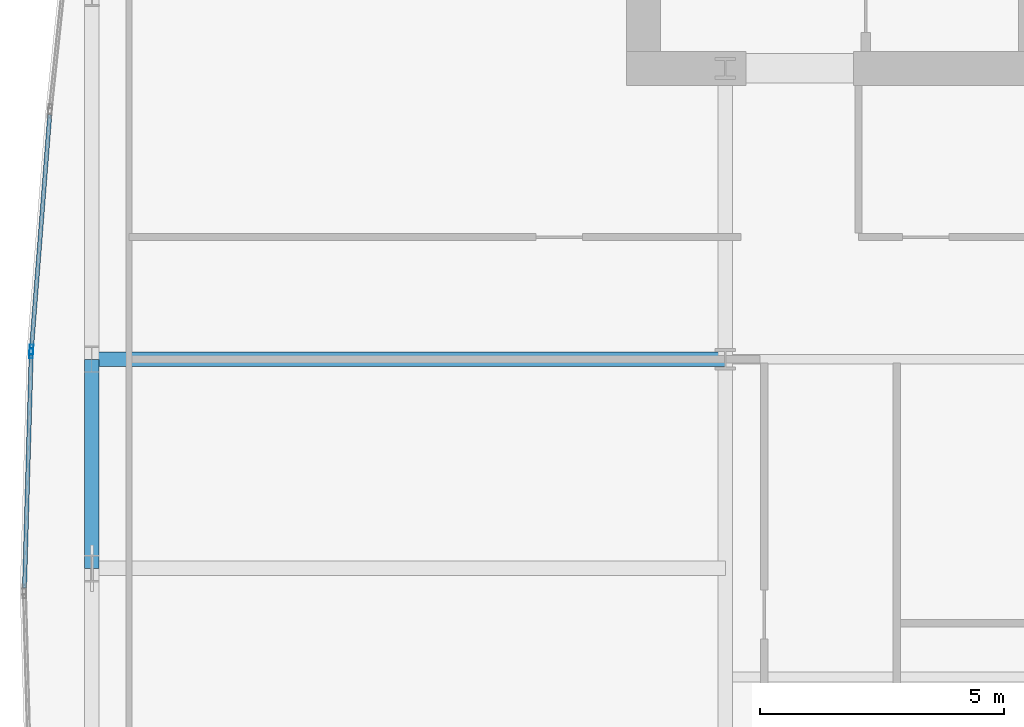
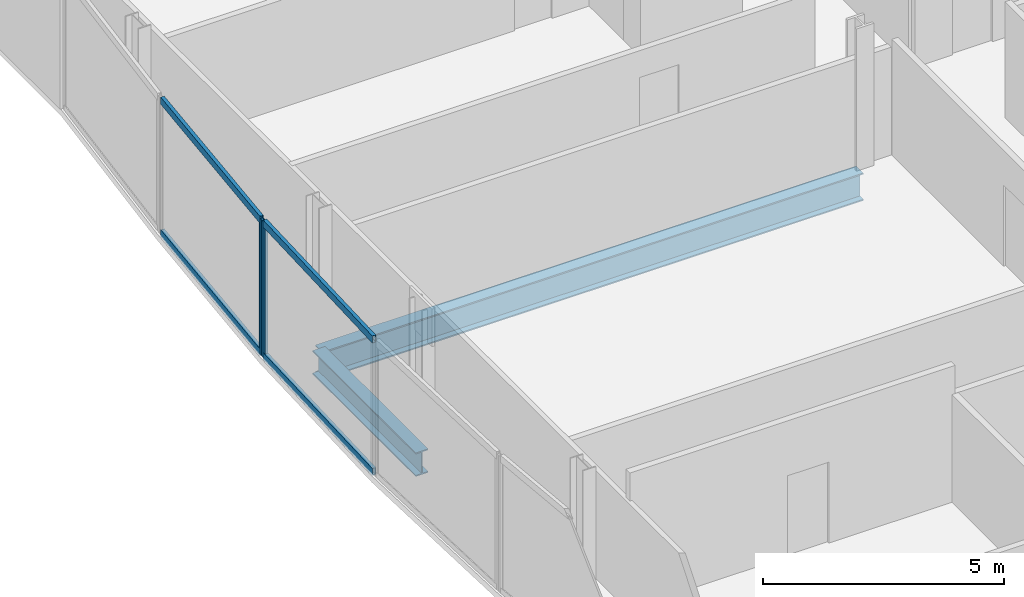
# One storey, part 11 of 29: 6 members, 2 beams, 2 elements without a shape of their own.
"""IFC4 building model written with IfcOpenShell, lengths in metres."""

from ifc_helpers import new_model, si_unit, direction, frame, origin, origin_2d, place, context, subcontext, project, spatial, hollow_rectangle, i_section, extrude, material, material_profile, profile_set, type_object, element, aggregate, save


model = new_model("IFC4")

# Units and contexts
model_context = context("Model", 3, precision=1e-05, world=origin(), true_north=direction((0.0, 1.0)))
body_context = subcontext(model_context, "Body", "Model", "MODEL_VIEW")
ifc_project = project(units=[si_unit("LENGTHUNIT", "METRE"), si_unit("AREAUNIT", "SQUARE_METRE"), si_unit("VOLUMEUNIT", "CUBIC_METRE"), si_unit("PLANEANGLEUNIT", "RADIAN"), si_unit("MASSUNIT", "GRAM", prefix="KILO")], contexts=[model_context])

# Site, building, storey
site_placement = place(None, origin())
site = spatial("IfcSite", under=ifc_project, at=site_placement, CompositionType="ELEMENT")
building_placement = place(site_placement, origin())
building = spatial("IfcBuilding", under=site, at=building_placement, Name="Khoronbel Lancet Exchange", CompositionType="ELEMENT")
storey_placement = place(building_placement, frame((0.0, 0.0, 143.39990234375)))
storey = spatial("IfcBuildingStorey", under=building, at=storey_placement, Name="L35", CompositionType="ELEMENT", Elevation=143.39990234375)

# Beams
ifc_material_1 = material(Name="Steel S355", Category="steel")
ifc_material_profile_1 = material_profile(ifc_material_1, i_section(OverallWidth=0.300048828125, OverallDepth=0.699951171875, WebThickness=0.01708984375, FlangeThickness=0.031982421875, at=origin_2d()), Name="HEB 700")
ifc_profile_set_1 = profile_set([ifc_material_profile_1], Name="Steel S355")
beam_type_1 = type_object("IfcBeamType", Name="BM-BG3", PredefinedType="BEAM", material=ifc_profile_set_1)
beam_1_placement = place(storey_placement, frame((5.27001953125, 35.699951171875, -0.510009765625), z_axis=(1.0, 0.0, 0.0), x_axis=(0.0, 1.0, 0.0)))
element("IfcBeam", 1, at=beam_1_placement, inside=storey, type_object=beam_type_1, Name="Level L35 west lens tie girder LG4W", PredefinedType="BEAM", context=body_context, shape_type="SweptSolid", body=[
    extrude(i_section(OverallWidth=0.300048828125, OverallDepth=0.699951171875, WebThickness=0.01708984375, FlangeThickness=0.031982421875, at=origin_2d()), origin(), (0.0, 0.0, 1.0), 12.955078125),
])
ifc_material_profile_2 = material_profile(ifc_material_1, i_section(OverallWidth=0.300048828125, OverallDepth=0.60009765625, WebThickness=0.015380859375, FlangeThickness=0.030029296875, at=origin_2d()), Name="HEB 600")
ifc_profile_set_2 = profile_set([ifc_material_profile_2], Name="Steel S355")
beam_type_2 = type_object("IfcBeamType", Name="BM-BSP2", PredefinedType="SPANDREL", material=ifc_profile_set_2)
beam_2_placement = place(storey_placement, frame((5.27001953125, 35.699951171875, -0.4599609375), z_axis=(0.0, -1.0, 0.0), x_axis=(1.0, 0.0, 0.0)))
element("IfcBeam", 2, at=beam_2_placement, inside=storey, type_object=beam_type_2, Name="Level L35 perimeter spandrel beam SP18", PredefinedType="SPANDREL", context=body_context, shape_type="SweptSolid", body=[
    extrude(i_section(OverallWidth=0.300048828125, OverallDepth=0.60009765625, WebThickness=0.015380859375, FlangeThickness=0.030029296875, at=origin_2d()), origin(), (0.0, 0.0, 1.0), 4.27490234375),
])

# Curtain wall, member
ifc_material_2 = material(Name="Low-E Solar Control Insulating Glass", Category="glass")
curtain_wall_type = type_object("IfcCurtainWallType", Name="CW-4", PredefinedType="NOTDEFINED", material=ifc_material_2)
curtain_wall_1_placement = place(storey_placement, origin())
curtain_wall_1 = element("IfcCurtainWall", 3, at=curtain_wall_1_placement, inside=storey, type_object=curtain_wall_type, Name="Unitised curtain wall CW-L35-E07", PredefinedType="NOTDEFINED")
ifc_material_3 = material(Name="Bronze-Anodised Aluminium 6063-T6", Category="aluminium")
ifc_material_profile_3 = material_profile(ifc_material_3, hollow_rectangle(XDim=0.074951171875, YDim=0.199951171875, WallThickness=0.0048828125, at=origin_2d()), Name="ALU MULLION 75x200")
ifc_profile_set_3 = profile_set([ifc_material_profile_3], Name="Bronze-Anodised Aluminium 6063-T6")
member_type_1 = type_object("IfcMemberType", Name="MEM-CWM2", PredefinedType="MULLION", material=ifc_profile_set_3)
member_1_placement = place(storey_placement, frame((4.029541015625, 35.824462890625, 0.0), z_axis=(0.0, 0.0, 1.0), x_axis=(-0.999590574553, 0.028612641702, 0.0)))
member_1 = element("IfcMember", 4, at=member_1_placement, type_object=member_type_1, Name="CW4 mullion 2", PredefinedType="MULLION", context=body_context, shape_type="SweptSolid", body=[
    extrude(hollow_rectangle(XDim=0.074951171875, YDim=0.199951171875, WallThickness=0.0048828125, at=origin_2d()), origin(), (0.0, 0.0, 1.0), 3.440185546875),
])

curtain_wall_2_placement = place(storey_placement, origin())
curtain_wall_2 = element("IfcCurtainWall", 5, at=curtain_wall_2_placement, inside=storey, type_object=curtain_wall_type, Name="Unitised curtain wall CW-L35-E08", PredefinedType="NOTDEFINED")
member_2_placement = place(storey_placement, frame((4.033447265625, 35.899169921875, 0.0), z_axis=(0.0, 0.0, 1.0), x_axis=(-0.996959555693, 0.077920756627, 0.0)))
member_2 = element("IfcMember", 6, at=member_2_placement, type_object=member_type_1, Name="CW4 mullion 1", PredefinedType="MULLION", context=body_context, shape_type="SweptSolid", body=[
    extrude(hollow_rectangle(XDim=0.074951171875, YDim=0.199951171875, WallThickness=0.0048828125, at=origin_2d()), origin(), (0.0, 0.0, 1.0), 3.440185546875),
])

# Member
ifc_material_profile_4 = material_profile(ifc_material_3, hollow_rectangle(XDim=0.0849609375, YDim=0.179931640625, WallThickness=0.0048828125, at=origin_2d()), Name="ALU TRANSOM 85x180")
ifc_profile_set_4 = profile_set([ifc_material_profile_4], Name="Bronze-Anodised Aluminium 6063-T6")
member_type_2 = type_object("IfcMemberType", Name="MEM-CWT1", PredefinedType="USERDEFINED", material=ifc_profile_set_4)
member_3_placement = place(storey_placement, frame((3.89208984375, 31.02490234375, 0.04248046875), z_axis=(0.02864755561, 0.999589574554, 0.0), x_axis=(-0.999589574554, 0.02864755561, 0.0)))
member_3 = element("IfcMember", 7, at=member_3_placement, type_object=member_type_2, Name="CW4 transom 1.1", ObjectType="TRANSOM", PredefinedType="USERDEFINED", context=body_context, shape_type="SweptSolid", body=[
    extrude(hollow_rectangle(XDim=0.0849609375, YDim=0.179931640625, WallThickness=0.0048828125, at=origin_2d()), origin(), (0.0, 0.0, 1.0), 4.763916015625),
])

member_4_placement = place(storey_placement, frame((3.89208984375, 31.02490234375, 3.397705078125), z_axis=(0.02864755561, 0.999589574554, 0.0), x_axis=(-0.999589574554, 0.02864755561, 0.0)))
member_4 = element("IfcMember", 8, at=member_4_placement, type_object=member_type_2, Name="CW4 transom 1.2", ObjectType="TRANSOM", PredefinedType="USERDEFINED", context=body_context, shape_type="SweptSolid", body=[
    extrude(hollow_rectangle(XDim=0.0849609375, YDim=0.179931640625, WallThickness=0.0048828125, at=origin_2d()), origin(), (0.0, 0.0, 1.0), 4.763916015625),
])

aggregate(curtain_wall_1, [member_1, member_3, member_4])

member_5_placement = place(storey_placement, frame((4.036376953125, 35.936767578125, 0.04248046875), z_axis=(0.077923377074, 0.996959350879, 0.0), x_axis=(-0.996959350879, 0.077923377074, 0.0)))
member_5 = element("IfcMember", 9, at=member_5_placement, type_object=member_type_2, Name="CW4 transom 1.1", ObjectType="TRANSOM", PredefinedType="USERDEFINED", context=body_context, shape_type="SweptSolid", body=[
    extrude(hollow_rectangle(XDim=0.0849609375, YDim=0.179931640625, WallThickness=0.0048828125, at=origin_2d()), origin(), (0.0, 0.0, 1.0), 4.778076171875),
])

member_6_placement = place(storey_placement, frame((4.036376953125, 35.936767578125, 3.397705078125), z_axis=(0.077923377074, 0.996959350879, 0.0), x_axis=(-0.996959350879, 0.077923377074, 0.0)))
member_6 = element("IfcMember", 10, at=member_6_placement, type_object=member_type_2, Name="CW4 transom 1.2", ObjectType="TRANSOM", PredefinedType="USERDEFINED", context=body_context, shape_type="SweptSolid", body=[
    extrude(hollow_rectangle(XDim=0.0849609375, YDim=0.179931640625, WallThickness=0.0048828125, at=origin_2d()), origin(), (0.0, 0.0, 1.0), 4.778076171875),
])

aggregate(curtain_wall_2, [member_2, member_5, member_6])

save(model, "model.ifc")
